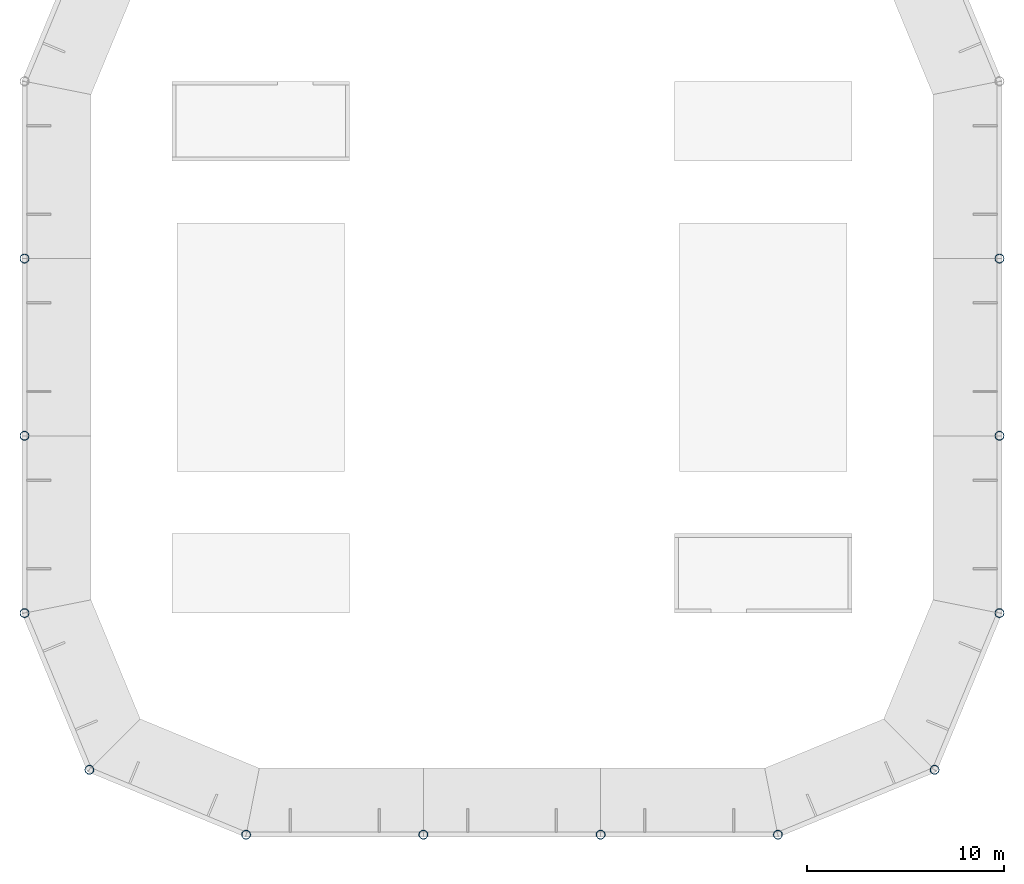
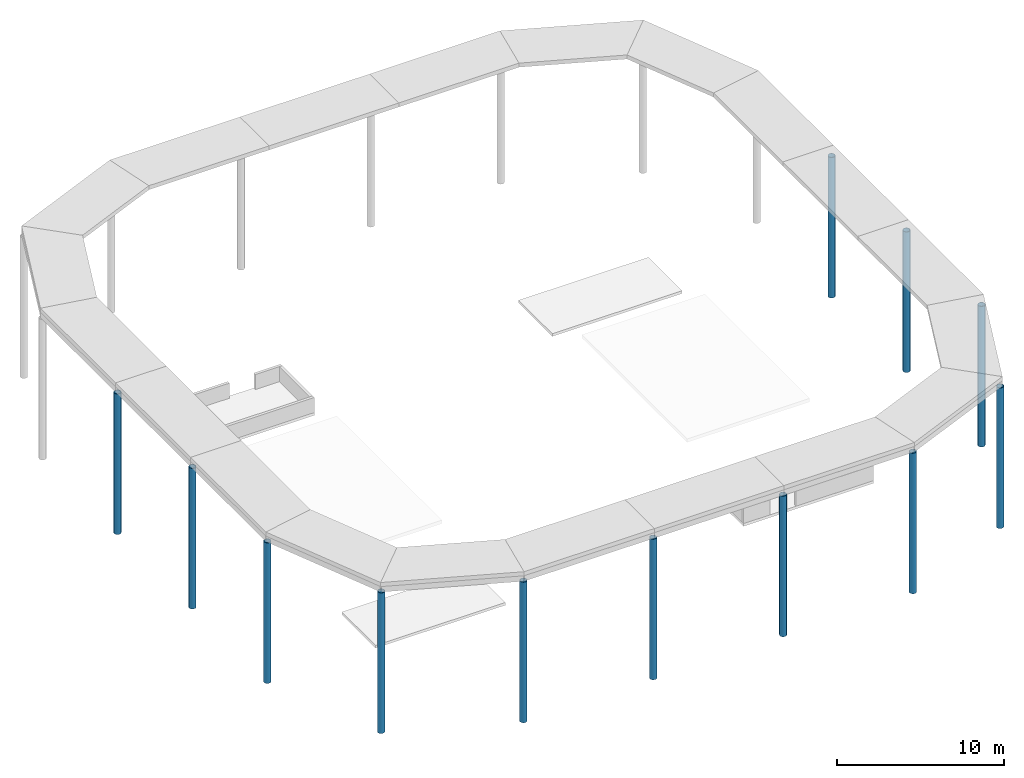
# One storey, part 1 of 4: 12 columns.
"""IFC4 building model written with IfcOpenShell, lengths in metres."""

from ifc_helpers import new_model, si_unit, direction, frame, origin, origin_2d, place, context, subcontext, project, spatial, hollow_circle, extrude, material, material_profile, profile_set, type_object, element, save


model = new_model("IFC4")

# Units and contexts
model_context = context("Model", 3, precision=1e-05, world=origin(), true_north=direction((0.0, 1.0)))
body_context = subcontext(model_context, "Body", "Model", "MODEL_VIEW")
ifc_project = project(units=[si_unit("LENGTHUNIT", "METRE"), si_unit("AREAUNIT", "SQUARE_METRE"), si_unit("VOLUMEUNIT", "CUBIC_METRE"), si_unit("PLANEANGLEUNIT", "RADIAN"), si_unit("MASSUNIT", "GRAM", prefix="KILO")], contexts=[model_context])

# Site, building, storey
site_placement = place(None, origin())
site = spatial("IfcSite", under=ifc_project, at=site_placement, CompositionType="ELEMENT")
building_placement = place(site_placement, origin())
building = spatial("IfcBuilding", under=site, at=building_placement, Name="Siwar Civic Tower", CompositionType="ELEMENT")
storey_placement = place(building_placement, frame((0.0, 0.0, 361.199951171875)))
storey = spatial("IfcBuildingStorey", under=building, at=storey_placement, Name="UPPER ROOF", CompositionType="ELEMENT", Elevation=361.199951171875)

# Columns
ifc_material = material(Name="Steel S355", Category="steel")
ifc_material_profile = material_profile(ifc_material, hollow_circle(Radius=0.228515625, WallThickness=0.02001953125, at=origin_2d()), Name="CHS457x20")
ifc_profile_set = profile_set([ifc_material_profile], Name="Steel S355")
column_type = type_object("IfcColumnType", Name="ENV-CROWN POST", PredefinedType="COLUMN", material=ifc_profile_set)
for number, where, z_axis, x_axis, name in (
    (1, (-13.5, -24.75, 0.0), (0.0, 0.0, 1.0), (1.0, 0.0, 0.0), "Crown post S-0"),
    (2, (-4.5, -24.75, 0.0), (0.0, 0.0, 1.0), (1.0, 0.0, 0.0), "Crown post S-1"),
    (3, (4.5, -24.75, 0.0), (0.0, 0.0, 1.0), (1.0, 0.0, 0.0), "Crown post S-2"),
    (4, (13.5, -24.75, 0.0), (0.0, 0.0, 1.0), (1.0, 0.0, 0.0), "Crown post SE1-0"),
    (5, (21.454833984375, -21.454833984375, 0.0), (0.0, 0.0, 1.0), (1.0, 0.0, 0.0), "Crown post SE2-0"),
    (6, (24.75, -13.5, 0.0), (0.0, 0.0, 1.0), (1.0, 0.0, 0.0), "Crown post E-0"),
    (7, (24.75, -4.5, 0.0), (0.0, 0.0, 1.0), (1.0, 0.0, 0.0), "Crown post E-1"),
    (8, (24.75, 4.5, 0.0), (0.0, 0.0, 1.0), (1.0, 0.0, 0.0), "Crown post E-2"),
    (9, (-24.75, 4.5, 0.0), (0.0, 0.0, 1.0), (1.0, 0.0, 0.0), "Crown post W-1"),
    (10, (-24.75, -4.5, 0.0), (0.0, 0.0, 1.0), (1.0, 0.0, 0.0), "Crown post W-2"),
    (11, (-24.75, -13.5, 0.0), (0.0, 0.0, 1.0), (1.0, 0.0, 0.0), "Crown post SW1-0"),
    (12, (-21.454833984375, -21.454833984375, 0.0), (0.0, 0.0, 1.0), (1.0, 0.0, 0.0), "Crown post SW2-0"),
):
    element("IfcColumn", number, at=place(storey_placement, frame(where, z_axis=z_axis, x_axis=x_axis)), inside=storey, type_object=column_type, Name=name, PredefinedType="COLUMN", context=body_context, shape_type="SweptSolid", body=[
        extrude(hollow_circle(Radius=0.228515625, WallThickness=0.02001953125, at=origin_2d()), origin(), (0.0, 0.0, 1.0), 10.300048828125),
    ])

save(model, "model.ifc")
